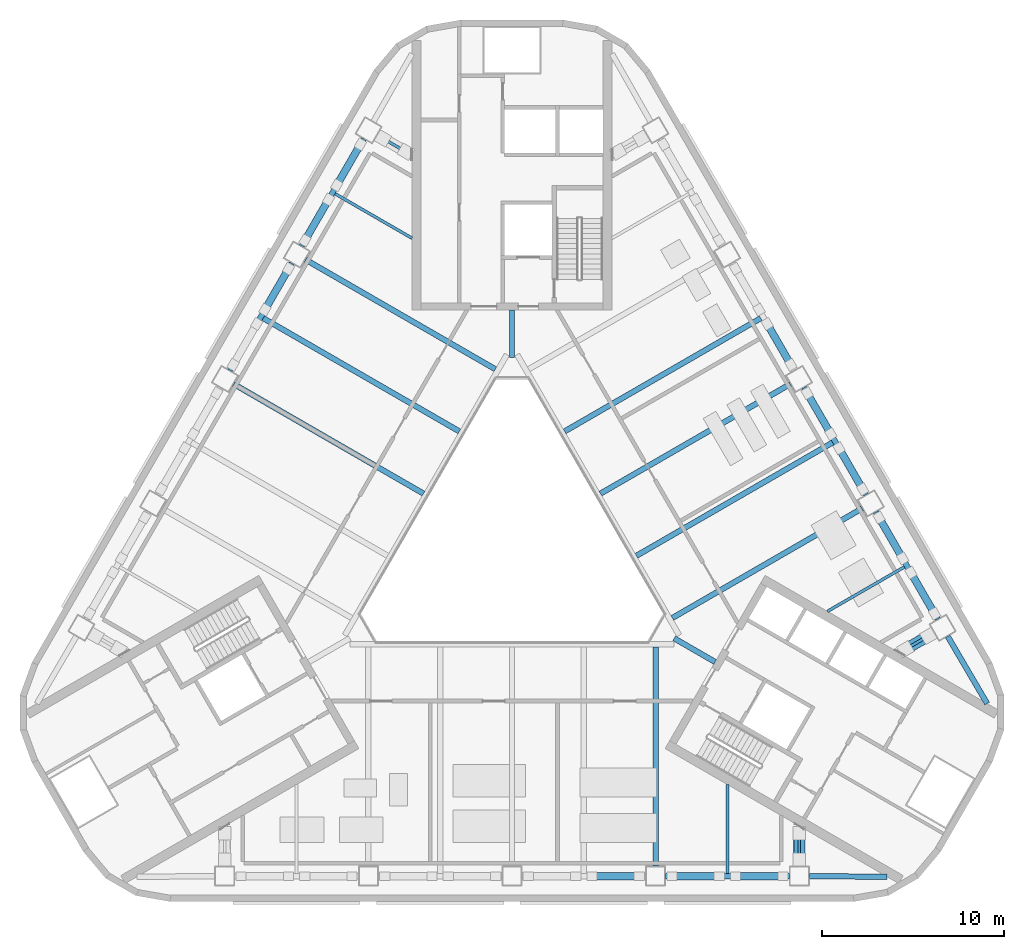
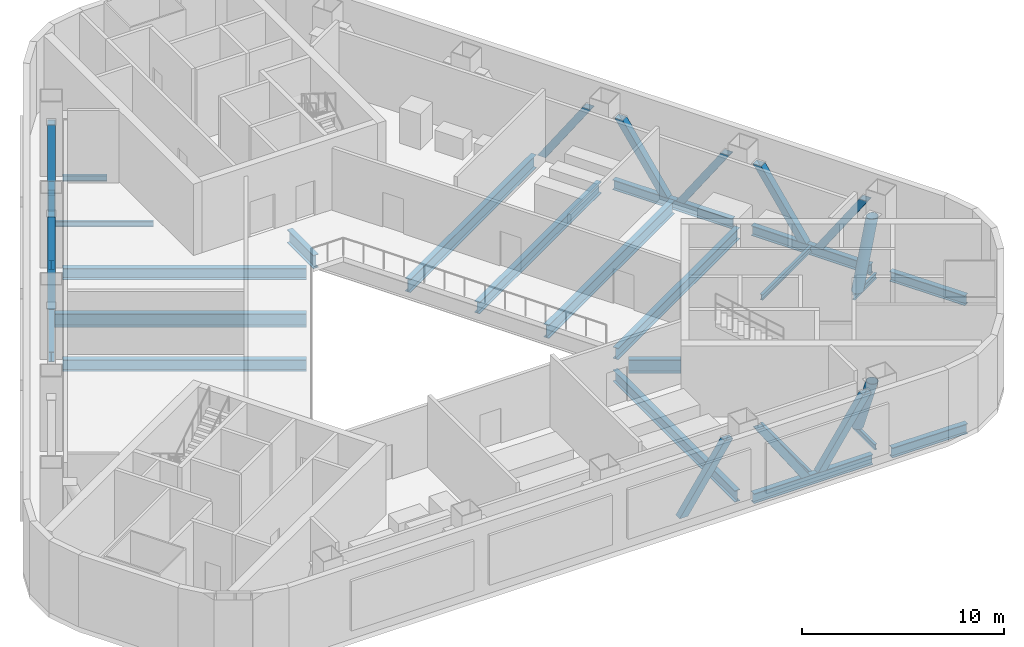
# One storey, part 2 of 14: 23 beams, 13 members.
"""IFC4 building model written with IfcOpenShell, lengths in metres."""

from ifc_helpers import new_model, si_unit, direction, frame, origin, origin_2d, place, context, subcontext, project, spatial, hollow_rectangle, hollow_circle, i_section, extrude, boolean, halfspace, material, material_profile, profile_set, type_object, element, save


model = new_model("IFC4")

# Units and contexts
model_context = context("Model", 3, precision=1e-05, world=origin(), true_north=direction((0.0, 1.0)))
body_context = subcontext(model_context, "Body", "Model", "MODEL_VIEW")
ifc_project = project(units=[si_unit("LENGTHUNIT", "METRE"), si_unit("AREAUNIT", "SQUARE_METRE"), si_unit("VOLUMEUNIT", "CUBIC_METRE"), si_unit("PLANEANGLEUNIT", "RADIAN"), si_unit("MASSUNIT", "GRAM", prefix="KILO")], contexts=[model_context])

# Site, building, storey
site_placement = place(None, origin())
site = spatial("IfcSite", under=ifc_project, at=site_placement, CompositionType="ELEMENT")
building_placement = place(site_placement, origin())
building = spatial("IfcBuilding", under=site, at=building_placement, Name="Apuvela Tower Hotel", CompositionType="ELEMENT")
storey_placement = place(building_placement, frame((0.0, 0.0, 42.0)))
storey = spatial("IfcBuildingStorey", under=building, at=storey_placement, Name="L07 Plant", CompositionType="ELEMENT", Elevation=42.0)

# Beams
ifc_material = material(Name="Steel S355", Category="steel")
ifc_material_profile_1 = material_profile(ifc_material, i_section(OverallWidth=0.300048828125, OverallDepth=0.68994140625, WebThickness=0.014404296875, FlangeThickness=0.027099609375, at=origin_2d()), Name="HE 700 A")
ifc_profile_set_1 = profile_set([ifc_material_profile_1], Name="Steel S355")
beam_type_1 = type_object("IfcBeamType", Name="STR-B floor beam HE 700 A", PredefinedType="BEAM", material=ifc_profile_set_1)
for number, where, z_axis, x_axis, name in (
    (1, (19.26123046875, 1.998291015625, -0.64501953125), (-0.866029136187, -0.499993535233, 0.0), (0.499993535233, -0.866029136187, 0.0), "Floor beam B6 NE3"),
    (2, (15.311279296875, 8.840087890625, -0.64501953125), (-0.866020368762, -0.500008720812, 0.0), (0.500008720812, -0.866020368762, 0.0), "Floor beam B6 NE5"),
):
    element("IfcBeam", number, at=place(storey_placement, frame(where, z_axis=z_axis, x_axis=x_axis)), inside=storey, type_object=beam_type_1, Name=name, PredefinedType="BEAM", context=body_context, shape_type="SweptSolid", body=[
        extrude(i_section(OverallWidth=0.300048828125, OverallDepth=0.68994140625, WebThickness=0.014404296875, FlangeThickness=0.027099609375, at=origin_2d()), origin(), (0.0, 0.0, 1.0), 12.057861328125),
    ])
beam_1_placement = place(storey_placement, frame((-11.361328125, 15.681640625, -0.64501953125), z_axis=(0.866025430648, -0.499999953472, 0.0), x_axis=(0.499999953472, 0.866025430648, 0.0)))
element("IfcBeam", 3, at=beam_1_placement, inside=storey, type_object=beam_type_1, Name="Floor beam B6 NW3", PredefinedType="BEAM", context=body_context, shape_type="SweptSolid", body=[
    extrude(i_section(OverallWidth=0.300048828125, OverallDepth=0.68994140625, WebThickness=0.014404296875, FlangeThickness=0.027099609375, at=origin_2d()), origin(), (0.0, 0.0, 1.0), 12.05810546875),
])
for number, where, z_axis, x_axis, name in (
    (4, (-15.311279296875, 8.840087890625, -0.64501953125), (0.866020368762, -0.500008720812, 0.0), (0.500008720812, 0.866020368762, 0.0), "Floor beam B6 NW5"),
    (5, (7.89990234375, -17.679931640625, -0.64501953125), (0.0, 1.0, 0.0), (-1.0, 0.0, 0.0), "Floor beam B6 S7"),
):
    element("IfcBeam", number, at=place(storey_placement, frame(where, z_axis=z_axis, x_axis=x_axis)), inside=storey, type_object=beam_type_1, Name=name, PredefinedType="BEAM", context=body_context, shape_type="SweptSolid", body=[
        extrude(i_section(OverallWidth=0.300048828125, OverallDepth=0.68994140625, WebThickness=0.014404296875, FlangeThickness=0.027099609375, at=origin_2d()), origin(), (0.0, 0.0, 1.0), 12.057861328125),
    ])
ifc_material_profile_2 = material_profile(ifc_material, i_section(OverallWidth=0.300048828125, OverallDepth=0.7900390625, WebThickness=0.014892578125, FlangeThickness=0.028076171875, at=origin_2d()), Name="HE 800 A")
ifc_profile_set_2 = profile_set([ifc_material_profile_2], Name="Steel S355")
beam_type_2 = type_object("IfcBeamType", Name="STR-B floor beam HE 800 A", PredefinedType="BEAM", material=ifc_profile_set_2)
for number, where, z_axis, x_axis, name in (
    (6, (17.6328125, 5.619140625, -0.695068359375), (-0.866027636335, -0.499996133089, 0.0), (0.499996133089, -0.866027636335, 0.0), "Floor beam B5 NE4"),
    (7, (13.6826171875, 12.460693359375, -0.695068359375), (-0.866022737053, -0.500004618886, 0.0), (0.500004618886, -0.866022737053, 0.0), "Floor beam B5 NE6"),
    (8, (-13.6826171875, 12.460693359375, -0.695068359375), (0.866022737053, -0.500004618886, 0.0), (0.500004618886, 0.866022737053, 0.0), "Floor beam B5 NW4"),
):
    element("IfcBeam", number, at=place(storey_placement, frame(where, z_axis=z_axis, x_axis=x_axis)), inside=storey, type_object=beam_type_2, Name=name, PredefinedType="BEAM", context=body_context, shape_type="SweptSolid", body=[
        extrude(i_section(OverallWidth=0.300048828125, OverallDepth=0.7900390625, WebThickness=0.014892578125, FlangeThickness=0.028076171875, at=origin_2d()), origin(), (0.0, 0.0, 1.0), 12.4580078125),
    ])
ifc_material_profile_3 = material_profile(ifc_material, i_section(OverallWidth=0.159912109375, OverallDepth=0.330078125, WebThickness=0.007568359375, FlangeThickness=0.011474609375, at=origin_2d()), Name="IPE 330")
ifc_profile_set_3 = profile_set([ifc_material_profile_3], Name="Steel S355")
beam_type_3 = type_object("IfcBeamType", Name="STR-B floor beam IPE 330", PredefinedType="BEAM", material=ifc_profile_set_3)
beam_2_placement = place(storey_placement, frame((23.211181640625, -4.84326171875, -0.465087890625), z_axis=(-0.866001350717, -0.50004165882, 0.0), x_axis=(0.50004165882, -0.866001350717, 0.0)))
element("IfcBeam", 9, at=beam_2_placement, inside=storey, type_object=beam_type_3, Name="Floor beam B1 NE1", PredefinedType="BEAM", context=body_context, shape_type="SweptSolid", body=[
    extrude(i_section(OverallWidth=0.159912109375, OverallDepth=0.330078125, WebThickness=0.007568359375, FlangeThickness=0.011474609375, at=origin_2d()), origin(), (0.0, 0.0, 1.0), 2.206787109375),
])
beam_3_placement = place(storey_placement, frame((21.582763671875, -1.222412109375, -0.465087890625), z_axis=(-0.866015056278, -0.500017921979, 0.0), x_axis=(0.500017921979, -0.866015056278, 0.0)))
element("IfcBeam", 10, at=beam_3_placement, inside=storey, type_object=beam_type_3, Name="Floor beam B1 NE2", PredefinedType="BEAM", context=body_context, shape_type="SweptSolid", body=[
    extrude(i_section(OverallWidth=0.159912109375, OverallDepth=0.330078125, WebThickness=0.007568359375, FlangeThickness=0.011474609375, at=origin_2d()), origin(), (0.0, 0.0, 1.0), 4.887451171875),
])
beam_4_placement = place(storey_placement, frame((-7.411376953125, 22.523193359375, -0.465087890625), z_axis=(0.866029008523, -0.499993756358, 0.0), x_axis=(0.499993756358, 0.866029008523, 0.0)))
element("IfcBeam", 11, at=beam_4_placement, inside=storey, type_object=beam_type_3, Name="Floor beam B1 NW1", PredefinedType="BEAM", context=body_context, shape_type="SweptSolid", body=[
    extrude(i_section(OverallWidth=0.159912109375, OverallDepth=0.330078125, WebThickness=0.007568359375, FlangeThickness=0.011474609375, at=origin_2d()), origin(), (0.0, 0.0, 1.0), 2.20703125),
])
beam_5_placement = place(storey_placement, frame((-9.732666015625, 19.302490234375, -0.465087890625), z_axis=(0.866015056278, -0.500017921979, 0.0), x_axis=(0.500017921979, 0.866015056278, 0.0)))
element("IfcBeam", 12, at=beam_5_placement, inside=storey, type_object=beam_type_3, Name="Floor beam B1 NW2", PredefinedType="BEAM", context=body_context, shape_type="SweptSolid", body=[
    extrude(i_section(OverallWidth=0.159912109375, OverallDepth=0.330078125, WebThickness=0.007568359375, FlangeThickness=0.011474609375, at=origin_2d()), origin(), (0.0, 0.0, 1.0), 4.887451171875),
])
beam_6_placement = place(storey_placement, frame((11.85009765625, -18.080078125, -0.465087890625), z_axis=(0.0, 1.0, 0.0), x_axis=(-1.0, 0.0, 0.0)))
element("IfcBeam", 13, at=beam_6_placement, inside=storey, type_object=beam_type_3, Name="Floor beam B1 S8", PredefinedType="BEAM", context=body_context, shape_type="SweptSolid", body=[
    extrude(i_section(OverallWidth=0.159912109375, OverallDepth=0.330078125, WebThickness=0.007568359375, FlangeThickness=0.011474609375, at=origin_2d()), origin(), (0.0, 0.0, 1.0), 4.8876953125),
])
beam_7_placement = place(storey_placement, frame((15.800048828125, -17.679931640625, -0.465087890625), z_axis=(0.0, 1.0, 0.0), x_axis=(-1.0, 0.0, 0.0)))
element("IfcBeam", 14, at=beam_7_placement, inside=storey, type_object=beam_type_3, Name="Floor beam B1 S9", PredefinedType="BEAM", context=body_context, shape_type="SweptSolid", body=[
    extrude(i_section(OverallWidth=0.159912109375, OverallDepth=0.330078125, WebThickness=0.007568359375, FlangeThickness=0.011474609375, at=origin_2d()), origin(), (0.0, 0.0, 1.0), 2.20703125),
])
ifc_material_profile_4 = material_profile(ifc_material, i_section(OverallWidth=0.300048828125, OverallDepth=0.800048828125, WebThickness=0.017578125, FlangeThickness=0.032958984375, at=origin_2d()), Name="HE 800 B")
ifc_profile_set_4 = profile_set([ifc_material_profile_4], Name="Steel S355")
beam_type_4 = type_object("IfcBeamType", Name="STR-GT core tie beam HE 800 B", PredefinedType="BEAM", material=ifc_profile_set_4)
for number, where, z_axis, x_axis, name in (
    (15, (0.0, 12.89990234375, -0.699951171875), (0.0, -1.0, 0.0), (1.0, 0.0, 0.0), "Core tie beam GT1 N"),
    (16, (11.171630859375, -6.449951171875, -0.699951171875), (-0.865997922154, 0.500047596559, 0.0), (-0.500047596559, -0.865997922154, 0.0), "Core tie beam GT1 SE"),
):
    element("IfcBeam", number, at=place(storey_placement, frame(where, z_axis=z_axis, x_axis=x_axis)), inside=storey, type_object=beam_type_4, Name=name, PredefinedType="BEAM", context=body_context, shape_type="SweptSolid", body=[
        extrude(i_section(OverallWidth=0.300048828125, OverallDepth=0.800048828125, WebThickness=0.017578125, FlangeThickness=0.032958984375, at=origin_2d()), origin(), (0.0, 0.0, 1.0), 2.599853515625),
    ])
ifc_material_profile_5 = material_profile(ifc_material, i_section(OverallWidth=0.300048828125, OverallDepth=0.60009765625, WebThickness=0.015380859375, FlangeThickness=0.030029296875, at=origin_2d()), Name="HE 600 B")
ifc_profile_set_5 = profile_set([ifc_material_profile_5], Name="Steel S355")
beam_type_5 = type_object("IfcBeamType", Name="STR-SB spandrel beam HE 600 B", PredefinedType="SPANDREL", material=ifc_profile_set_5)
beam_8_placement = place(storey_placement, frame((8.449951171875, -18.22998046875, -0.60009765625), z_axis=(1.0, 0.0, 0.0), x_axis=(0.0, 1.0, 0.0)))
element("IfcBeam", 17, at=beam_8_placement, inside=storey, type_object=beam_type_5, Name="Spandrel beam SB1 S4", PredefinedType="SPANDREL", context=body_context, shape_type="SweptSolid", body=[
    extrude(i_section(OverallWidth=0.300048828125, OverallDepth=0.60009765625, WebThickness=0.015380859375, FlangeThickness=0.030029296875, at=origin_2d()), origin(), (0.0, 0.0, 1.0), 6.800048828125),
])
beam_9_placement = place(storey_placement, frame((23.41259765625, -4.091796875, -0.60009765625), z_axis=(-0.499992841449, 0.866029536736, 0.0), x_axis=(-0.866029536736, -0.499992841449, 0.0)))
element("IfcBeam", 18, at=beam_9_placement, inside=storey, type_object=beam_type_5, Name="Spandrel beam SB1 NE1", PredefinedType="SPANDREL", context=body_context, shape_type="SweptSolid", body=[
    extrude(i_section(OverallWidth=0.300048828125, OverallDepth=0.60009765625, WebThickness=0.015380859375, FlangeThickness=0.030029296875, at=origin_2d()), origin(), (0.0, 0.0, 1.0), 6.7998046875),
])
for number, where, z_axis, x_axis, name in (
    (19, (19.462646484375, 2.749755859375, -0.60009765625), (-0.500019768644, 0.866013990052, 0.0), (-0.866013990052, -0.500019768644, 0.0), "Spandrel beam SB1 NE2"),
    (20, (-8.16259765625, 22.322021484375, -0.60009765625), (-0.499977295307, -0.866038511948, 0.0), (0.866038511948, -0.499977295307, 0.0), "Spandrel beam SB1 NW1"),
    (21, (-12.112548828125, 15.480224609375, -0.60009765625), (-0.500019768644, -0.866013990052, 0.0), (0.866013990052, -0.500019768644, 0.0), "Spandrel beam SB1 NW2"),
):
    element("IfcBeam", number, at=place(storey_placement, frame(where, z_axis=z_axis, x_axis=x_axis)), inside=storey, type_object=beam_type_5, Name=name, PredefinedType="SPANDREL", context=body_context, shape_type="SweptSolid", body=[
        extrude(i_section(OverallWidth=0.300048828125, OverallDepth=0.60009765625, WebThickness=0.015380859375, FlangeThickness=0.030029296875, at=origin_2d()), origin(), (0.0, 0.0, 1.0), 6.800048828125),
    ])
beam_10_placement = place(storey_placement, frame((16.35009765625, -18.23388671875, -0.60009765625), z_axis=(0.999976603061, -0.006840565065, 0.0), x_axis=(0.006840565065, 0.999976603061, 0.0)))
element("IfcBeam", 22, at=beam_10_placement, inside=storey, type_object=beam_type_5, Name="Spandrel beam SB1 S5-SE", PredefinedType="SPANDREL", context=body_context, shape_type="SweptSolid", body=[
    extrude(i_section(OverallWidth=0.300048828125, OverallDepth=0.60009765625, WebThickness=0.015380859375, FlangeThickness=0.030029296875, at=origin_2d()), origin(), (0.0, 0.0, 1.0), 4.28271484375),
])
beam_11_placement = place(storey_placement, frame((23.9658203125, -5.04248046875, -0.60009765625), z_axis=(0.505953544163, -0.862560728963, 0.0), x_axis=(0.862560728963, 0.505953544163, 0.0)))
element("IfcBeam", 23, at=beam_11_placement, inside=storey, type_object=beam_type_5, Name="Spandrel beam SB1 NE1-SE", PredefinedType="SPANDREL", context=body_context, shape_type="SweptSolid", body=[
    extrude(i_section(OverallWidth=0.300048828125, OverallDepth=0.60009765625, WebThickness=0.015380859375, FlangeThickness=0.030029296875, at=origin_2d()), origin(), (0.0, 0.0, 1.0), 4.282958984375),
])

# Members
ifc_material_profile_6 = material_profile(ifc_material, hollow_rectangle(XDim=0.39990234375, YDim=0.39990234375, WallThickness=0.02001953125, at=origin_2d()), Name="SHS 400x400x20")
ifc_profile_set_6 = profile_set([ifc_material_profile_6], Name="Steel S355")
member_type_1 = type_object("IfcMemberType", Name="STR-T0 belt truss diagonal SHS 400x400x20", PredefinedType="BRACE", material=ifc_profile_set_6)
member_1_placement = place(storey_placement, frame((4.39990234375, -18.22998046875, -0.300048828125), z_axis=(0.561078773215, 0.0, 0.827762411714), x_axis=(-0.827762411714, 0.0, 0.561078773215)))
solid_1 = boolean("DIFFERENCE", boolean("DIFFERENCE", extrude(hollow_rectangle(XDim=0.39990234375, YDim=0.39990234375, WallThickness=0.02001953125, at=origin_2d()), frame((0.0, 0.0, -0.255615234375)), (0.0, 0.0, 1.0), 5.145263671875), halfspace(frame((0.0, 0.0, 0.024169921875), z_axis=(0.561078773215, 0.0, 0.827762411714), x_axis=(0.827762411714, 0.0, -0.561078773215)), True)), halfspace(frame((0.0, 0.0, 4.610107421875), z_axis=(0.561078773215, 0.0, 0.827762411714), x_axis=(0.827762411714, 0.0, -0.561078773215)), False))
element("IfcMember", 24, at=member_1_placement, inside=storey, type_object=member_type_1, Name="Belt truss diagonal BR1 S3", PredefinedType="BRACE", context=body_context, shape_type="SweptSolid", body=[
    boolean("UNION", boolean("DIFFERENCE", boolean("DIFFERENCE", extrude(hollow_rectangle(XDim=0.39990234375, YDim=0.39990234375, WallThickness=0.02001953125, at=origin_2d()), origin(), (0.0, 0.0, 1.0), 4.634033203125), halfspace(frame((0.0, 0.0, 0.024169921875), z_axis=(0.561078773215, 0.0, 0.827762411714), x_axis=(0.827762411714, 0.0, -0.561078773215)), True)), halfspace(frame((0.0, 0.0, 4.610107421875), z_axis=(0.561078773215, 0.0, 0.827762411714), x_axis=(0.827762411714, 0.0, -0.561078773215)), False)), solid_1),
])
member_2_placement = place(storey_placement, frame((11.39990234375, -18.22998046875, -0.300048828125), z_axis=(-0.561042673407, 0.0, 0.827786879949), x_axis=(0.827786879949, 0.0, 0.561042673407)))
solid_2 = boolean("DIFFERENCE", boolean("DIFFERENCE", extrude(hollow_rectangle(XDim=0.39990234375, YDim=0.39990234375, WallThickness=0.02001953125, at=origin_2d()), frame((0.0, 0.0, -0.255615234375)), (0.0, 0.0, 1.0), 5.145263671875), halfspace(frame((0.0, 0.0, 0.024169921875), z_axis=(0.561042673407, 0.0, 0.827786879949), x_axis=(0.827786879949, 0.0, -0.561042673407)), True)), halfspace(frame((0.0, 0.0, 4.60986328125), z_axis=(0.561042673407, 0.0, 0.827786879949), x_axis=(0.827786879949, 0.0, -0.561042673407)), False))
element("IfcMember", 25, at=member_2_placement, inside=storey, type_object=member_type_1, Name="Belt truss diagonal BR1 S4", PredefinedType="BRACE", context=body_context, shape_type="SweptSolid", body=[
    boolean("UNION", boolean("DIFFERENCE", boolean("DIFFERENCE", extrude(hollow_rectangle(XDim=0.39990234375, YDim=0.39990234375, WallThickness=0.02001953125, at=origin_2d()), origin(), (0.0, 0.0, 1.0), 4.634033203125), halfspace(frame((0.0, 0.0, 0.024169921875), z_axis=(0.561042673407, 0.0, 0.827786879949), x_axis=(0.827786879949, 0.0, -0.561042673407)), True)), halfspace(frame((0.0, 0.0, 4.60986328125), z_axis=(0.561042673407, 0.0, 0.827786879949), x_axis=(0.827786879949, 0.0, -0.561042673407)), False)), solid_2),
])
member_3_placement = place(storey_placement, frame((12.300048828125, -18.22998046875, -0.300048828125), z_axis=(0.561042673407, 0.0, 0.827786879949), x_axis=(-0.827786879949, 0.0, 0.561042673407)))
solid_3 = boolean("DIFFERENCE", boolean("DIFFERENCE", extrude(hollow_rectangle(XDim=0.39990234375, YDim=0.39990234375, WallThickness=0.02001953125, at=origin_2d()), frame((0.0, 0.0, -0.255615234375)), (0.0, 0.0, 1.0), 5.145263671875), halfspace(frame((0.0, 0.0, 0.024169921875), z_axis=(0.561042673407, 0.0, 0.827786879949), x_axis=(0.827786879949, 0.0, -0.561042673407)), True)), halfspace(frame((0.0, 0.0, 4.60986328125), z_axis=(0.561042673407, 0.0, 0.827786879949), x_axis=(0.827786879949, 0.0, -0.561042673407)), False))
element("IfcMember", 26, at=member_3_placement, inside=storey, type_object=member_type_1, Name="Belt truss diagonal BR1 S4", PredefinedType="BRACE", context=body_context, shape_type="SweptSolid", body=[
    boolean("UNION", boolean("DIFFERENCE", boolean("DIFFERENCE", extrude(hollow_rectangle(XDim=0.39990234375, YDim=0.39990234375, WallThickness=0.02001953125, at=origin_2d()), origin(), (0.0, 0.0, 1.0), 4.634033203125), halfspace(frame((0.0, 0.0, 0.024169921875), z_axis=(0.561042673407, 0.0, 0.827786879949), x_axis=(0.827786879949, 0.0, -0.561042673407)), True)), halfspace(frame((0.0, 0.0, 4.60986328125), z_axis=(0.561042673407, 0.0, 0.827786879949), x_axis=(0.827786879949, 0.0, -0.561042673407)), False)), solid_3),
])
member_4_placement = place(storey_placement, frame((21.9375, -1.537109375, -0.300048828125), z_axis=(0.280540611432, -0.485901607369, 0.827766025694), x_axis=(-0.413888752903, 0.716863092587, 0.561073441455)))
solid_4 = boolean("DIFFERENCE", boolean("DIFFERENCE", extrude(hollow_rectangle(XDim=0.39990234375, YDim=0.39990234375, WallThickness=0.02001953125, at=origin_2d()), frame((0.0, 0.0, -0.255615234375)), (0.0, 0.0, 1.0), 5.145263671875), halfspace(frame((0.0, 0.0, 0.024169921875), z_axis=(0.561073441455, 0.0, 0.827766025694), x_axis=(0.827766025694, 0.0, -0.561073441455)), True)), halfspace(frame((0.0, 0.0, 4.610107421875), z_axis=(0.561073441455, 0.0, 0.827766025694), x_axis=(0.827766025694, 0.0, -0.561073441455)), False))
element("IfcMember", 27, at=member_4_placement, inside=storey, type_object=member_type_1, Name="Belt truss diagonal BR1 NE1", PredefinedType="BRACE", context=body_context, shape_type="SweptSolid", body=[
    boolean("UNION", boolean("DIFFERENCE", boolean("DIFFERENCE", extrude(hollow_rectangle(XDim=0.39990234375, YDim=0.39990234375, WallThickness=0.02001953125, at=origin_2d()), origin(), (0.0, 0.0, 1.0), 4.634033203125), halfspace(frame((0.0, 0.0, 0.024169921875), z_axis=(0.561073441455, 0.0, 0.827766025694), x_axis=(0.827766025694, 0.0, -0.561073441455)), True)), halfspace(frame((0.0, 0.0, 4.610107421875), z_axis=(0.561073441455, 0.0, 0.827766025694), x_axis=(0.827766025694, 0.0, -0.561073441455)), False)), solid_4),
])
member_5_placement = place(storey_placement, frame((21.487548828125, -0.7578125, -0.300048828125), z_axis=(-0.280540611432, 0.485901607369, 0.827766025694), x_axis=(0.413888752903, -0.716863092587, 0.561073441455)))
solid_5 = boolean("DIFFERENCE", boolean("DIFFERENCE", extrude(hollow_rectangle(XDim=0.39990234375, YDim=0.39990234375, WallThickness=0.02001953125, at=origin_2d()), frame((0.0, 0.0, -0.255615234375)), (0.0, 0.0, 1.0), 5.145263671875), halfspace(frame((0.0, 0.0, 0.024169921875), z_axis=(0.561073441455, 0.0, 0.827766025694), x_axis=(0.827766025694, 0.0, -0.561073441455)), True)), halfspace(frame((0.0, 0.0, 4.610107421875), z_axis=(0.561073441455, 0.0, 0.827766025694), x_axis=(0.827766025694, 0.0, -0.561073441455)), False))
element("IfcMember", 28, at=member_5_placement, inside=storey, type_object=member_type_1, Name="Belt truss diagonal BR1 NE1", PredefinedType="BRACE", context=body_context, shape_type="SweptSolid", body=[
    boolean("UNION", boolean("DIFFERENCE", boolean("DIFFERENCE", extrude(hollow_rectangle(XDim=0.39990234375, YDim=0.39990234375, WallThickness=0.02001953125, at=origin_2d()), origin(), (0.0, 0.0, 1.0), 4.634033203125), halfspace(frame((0.0, 0.0, 0.024169921875), z_axis=(0.561073441455, 0.0, 0.827766025694), x_axis=(0.827766025694, 0.0, -0.561073441455)), True)), halfspace(frame((0.0, 0.0, 4.610107421875), z_axis=(0.561073441455, 0.0, 0.827766025694), x_axis=(0.827766025694, 0.0, -0.561073441455)), False)), solid_5),
])
member_6_placement = place(storey_placement, frame((17.987548828125, 5.304443359375, -0.300048828125), z_axis=(0.280540611432, -0.485901607369, 0.827766025694), x_axis=(-0.413888752903, 0.716863092587, 0.561073441455)))
solid_6 = boolean("DIFFERENCE", boolean("DIFFERENCE", extrude(hollow_rectangle(XDim=0.39990234375, YDim=0.39990234375, WallThickness=0.02001953125, at=origin_2d()), frame((0.0, 0.0, -0.255615234375)), (0.0, 0.0, 1.0), 5.145263671875), halfspace(frame((0.0, 0.0, 0.024169921875), z_axis=(0.561073441455, 0.0, 0.827766025694), x_axis=(0.827766025694, 0.0, -0.561073441455)), True)), halfspace(frame((0.0, 0.0, 4.610107421875), z_axis=(0.561073441455, 0.0, 0.827766025694), x_axis=(0.827766025694, 0.0, -0.561073441455)), False))
element("IfcMember", 29, at=member_6_placement, inside=storey, type_object=member_type_1, Name="Belt truss diagonal BR1 NE2", PredefinedType="BRACE", context=body_context, shape_type="SweptSolid", body=[
    boolean("UNION", boolean("DIFFERENCE", boolean("DIFFERENCE", extrude(hollow_rectangle(XDim=0.39990234375, YDim=0.39990234375, WallThickness=0.02001953125, at=origin_2d()), origin(), (0.0, 0.0, 1.0), 4.634033203125), halfspace(frame((0.0, 0.0, 0.024169921875), z_axis=(0.561073441455, 0.0, 0.827766025694), x_axis=(0.827766025694, 0.0, -0.561073441455)), True)), halfspace(frame((0.0, 0.0, 4.610107421875), z_axis=(0.561073441455, 0.0, 0.827766025694), x_axis=(0.827766025694, 0.0, -0.561073441455)), False)), solid_6),
])
member_7_placement = place(storey_placement, frame((17.53759765625, 6.083984375, -0.300048828125), z_axis=(-0.280540611432, 0.485901607369, 0.827766025694), x_axis=(0.413888752903, -0.716863092587, 0.561073441455)))
solid_7 = boolean("DIFFERENCE", boolean("DIFFERENCE", extrude(hollow_rectangle(XDim=0.39990234375, YDim=0.39990234375, WallThickness=0.02001953125, at=origin_2d()), frame((0.0, 0.0, -0.255615234375)), (0.0, 0.0, 1.0), 5.145263671875), halfspace(frame((0.0, 0.0, 0.024169921875), z_axis=(0.561073441455, 0.0, 0.827766025694), x_axis=(0.827766025694, 0.0, -0.561073441455)), True)), halfspace(frame((0.0, 0.0, 4.610107421875), z_axis=(0.561073441455, 0.0, 0.827766025694), x_axis=(0.827766025694, 0.0, -0.561073441455)), False))
element("IfcMember", 30, at=member_7_placement, inside=storey, type_object=member_type_1, Name="Belt truss diagonal BR1 NE2", PredefinedType="BRACE", context=body_context, shape_type="SweptSolid", body=[
    boolean("UNION", boolean("DIFFERENCE", boolean("DIFFERENCE", extrude(hollow_rectangle(XDim=0.39990234375, YDim=0.39990234375, WallThickness=0.02001953125, at=origin_2d()), origin(), (0.0, 0.0, 1.0), 4.634033203125), halfspace(frame((0.0, 0.0, 0.024169921875), z_axis=(0.561073441455, 0.0, 0.827766025694), x_axis=(0.827766025694, 0.0, -0.561073441455)), True)), halfspace(frame((0.0, 0.0, 4.610107421875), z_axis=(0.561073441455, 0.0, 0.827766025694), x_axis=(0.827766025694, 0.0, -0.561073441455)), False)), solid_7),
])
member_8_placement = place(storey_placement, frame((14.03759765625, 12.14599609375, -0.300048828125), z_axis=(0.280540611432, -0.485901607369, 0.827766025694), x_axis=(-0.413888752903, 0.716863092587, 0.561073441455)))
solid_8 = boolean("DIFFERENCE", boolean("DIFFERENCE", extrude(hollow_rectangle(XDim=0.39990234375, YDim=0.39990234375, WallThickness=0.02001953125, at=origin_2d()), frame((0.0, 0.0, -0.255615234375)), (0.0, 0.0, 1.0), 5.145263671875), halfspace(frame((0.0, 0.0, 0.024169921875), z_axis=(0.561073441455, 0.0, 0.827766025694), x_axis=(0.827766025694, 0.0, -0.561073441455)), True)), halfspace(frame((0.0, 0.0, 4.610107421875), z_axis=(0.561073441455, 0.0, 0.827766025694), x_axis=(0.827766025694, 0.0, -0.561073441455)), False))
element("IfcMember", 31, at=member_8_placement, inside=storey, type_object=member_type_1, Name="Belt truss diagonal BR1 NE3", PredefinedType="BRACE", context=body_context, shape_type="SweptSolid", body=[
    boolean("UNION", boolean("DIFFERENCE", boolean("DIFFERENCE", extrude(hollow_rectangle(XDim=0.39990234375, YDim=0.39990234375, WallThickness=0.02001953125, at=origin_2d()), origin(), (0.0, 0.0, 1.0), 4.634033203125), halfspace(frame((0.0, 0.0, 0.024169921875), z_axis=(0.561073441455, 0.0, 0.827766025694), x_axis=(0.827766025694, 0.0, -0.561073441455)), True)), halfspace(frame((0.0, 0.0, 4.610107421875), z_axis=(0.561073441455, 0.0, 0.827766025694), x_axis=(0.827766025694, 0.0, -0.561073441455)), False)), solid_8),
])
member_9_placement = place(storey_placement, frame((-9.6376953125, 19.76708984375, -0.300048828125), z_axis=(0.280540611432, 0.485901607369, 0.827766025694), x_axis=(-0.413888752903, -0.716863092587, 0.561073441455)))
solid_9 = boolean("DIFFERENCE", boolean("DIFFERENCE", extrude(hollow_rectangle(XDim=0.39990234375, YDim=0.39990234375, WallThickness=0.02001953125, at=origin_2d()), frame((0.0, 0.0, -0.255615234375)), (0.0, 0.0, 1.0), 5.145263671875), halfspace(frame((0.0, 0.0, 0.024169921875), z_axis=(0.561073441455, 0.0, 0.827766025694), x_axis=(0.827766025694, 0.0, -0.561073441455)), True)), halfspace(frame((0.0, 0.0, 4.610107421875), z_axis=(0.561073441455, 0.0, 0.827766025694), x_axis=(0.827766025694, 0.0, -0.561073441455)), False))
element("IfcMember", 32, at=member_9_placement, inside=storey, type_object=member_type_1, Name="Belt truss diagonal BR1 NW1", PredefinedType="BRACE", context=body_context, shape_type="SweptSolid", body=[
    boolean("UNION", boolean("DIFFERENCE", boolean("DIFFERENCE", extrude(hollow_rectangle(XDim=0.39990234375, YDim=0.39990234375, WallThickness=0.02001953125, at=origin_2d()), origin(), (0.0, 0.0, 1.0), 4.634033203125), halfspace(frame((0.0, 0.0, 0.024169921875), z_axis=(0.561073441455, 0.0, 0.827766025694), x_axis=(0.827766025694, 0.0, -0.561073441455)), True)), halfspace(frame((0.0, 0.0, 4.610107421875), z_axis=(0.561073441455, 0.0, 0.827766025694), x_axis=(0.827766025694, 0.0, -0.561073441455)), False)), solid_9),
])
member_10_placement = place(storey_placement, frame((-10.087646484375, 18.98779296875, -0.300048828125), z_axis=(-0.280540611432, -0.485901607369, 0.827766025694), x_axis=(0.413888752903, 0.716863092587, 0.561073441455)))
solid_10 = boolean("DIFFERENCE", boolean("DIFFERENCE", extrude(hollow_rectangle(XDim=0.39990234375, YDim=0.39990234375, WallThickness=0.02001953125, at=origin_2d()), frame((0.0, 0.0, -0.255615234375)), (0.0, 0.0, 1.0), 5.145263671875), halfspace(frame((0.0, 0.0, 0.024169921875), z_axis=(0.561073441455, 0.0, 0.827766025694), x_axis=(0.827766025694, 0.0, -0.561073441455)), True)), halfspace(frame((0.0, 0.0, 4.610107421875), z_axis=(0.561073441455, 0.0, 0.827766025694), x_axis=(0.827766025694, 0.0, -0.561073441455)), False))
element("IfcMember", 33, at=member_10_placement, inside=storey, type_object=member_type_1, Name="Belt truss diagonal BR1 NW1", PredefinedType="BRACE", context=body_context, shape_type="SweptSolid", body=[
    boolean("UNION", boolean("DIFFERENCE", boolean("DIFFERENCE", extrude(hollow_rectangle(XDim=0.39990234375, YDim=0.39990234375, WallThickness=0.02001953125, at=origin_2d()), origin(), (0.0, 0.0, 1.0), 4.634033203125), halfspace(frame((0.0, 0.0, 0.024169921875), z_axis=(0.561073441455, 0.0, 0.827766025694), x_axis=(0.827766025694, 0.0, -0.561073441455)), True)), halfspace(frame((0.0, 0.0, 4.610107421875), z_axis=(0.561073441455, 0.0, 0.827766025694), x_axis=(0.827766025694, 0.0, -0.561073441455)), False)), solid_10),
])
member_11_placement = place(storey_placement, frame((-13.587646484375, 12.925537109375, -0.300048828125), z_axis=(0.280540611432, 0.485901607369, 0.827766025694), x_axis=(-0.413888752903, -0.716863092587, 0.561073441455)))
solid_11 = boolean("DIFFERENCE", boolean("DIFFERENCE", extrude(hollow_rectangle(XDim=0.39990234375, YDim=0.39990234375, WallThickness=0.02001953125, at=origin_2d()), frame((0.0, 0.0, -0.255615234375)), (0.0, 0.0, 1.0), 5.145263671875), halfspace(frame((0.0, 0.0, 0.024169921875), z_axis=(0.561073441455, 0.0, 0.827766025694), x_axis=(0.827766025694, 0.0, -0.561073441455)), True)), halfspace(frame((0.0, 0.0, 4.610107421875), z_axis=(0.561073441455, 0.0, 0.827766025694), x_axis=(0.827766025694, 0.0, -0.561073441455)), False))
element("IfcMember", 34, at=member_11_placement, inside=storey, type_object=member_type_1, Name="Belt truss diagonal BR1 NW2", PredefinedType="BRACE", context=body_context, shape_type="SweptSolid", body=[
    boolean("UNION", boolean("DIFFERENCE", boolean("DIFFERENCE", extrude(hollow_rectangle(XDim=0.39990234375, YDim=0.39990234375, WallThickness=0.02001953125, at=origin_2d()), origin(), (0.0, 0.0, 1.0), 4.634033203125), halfspace(frame((0.0, 0.0, 0.024169921875), z_axis=(0.561073441455, 0.0, 0.827766025694), x_axis=(0.827766025694, 0.0, -0.561073441455)), True)), halfspace(frame((0.0, 0.0, 4.610107421875), z_axis=(0.561073441455, 0.0, 0.827766025694), x_axis=(0.827766025694, 0.0, -0.561073441455)), False)), solid_11),
])
ifc_material_profile_7 = material_profile(ifc_material, hollow_circle(Radius=0.304931640625, WallThickness=0.02490234375, at=origin_2d()), Name="CHS 610x25")
ifc_profile_set_7 = profile_set([ifc_material_profile_7], Name="Steel S355")
member_type_2 = type_object("IfcMemberType", Name="STR-T0 outrigger truss diagonal CHS 610x25", PredefinedType="BRACE", material=ifc_profile_set_7)
member_12_placement = place(storey_placement, frame((21.64306640625, -5.74853515625, -0.300048828125), z_axis=(0.322401161297, 0.186086814635, 0.928132096532), x_axis=(-0.803841657977, -0.463969586841, 0.372251005891)))
solid_12 = boolean("DIFFERENCE", boolean("DIFFERENCE", extrude(hollow_circle(Radius=0.304931640625, WallThickness=0.02490234375, at=origin_2d()), frame((0.0, 0.0, -0.2421875)), (0.0, 0.0, 1.0), 4.40869140625), halfspace(frame((0.0, 0.0, 0.021484375), z_axis=(0.372251005891, 0.0, 0.928132096532), x_axis=(0.928132096532, 0.0, -0.372251005891)), True)), halfspace(frame((0.0, 0.0, 3.902587890625), z_axis=(0.372251005891, 0.0, 0.928132096532), x_axis=(0.928132096532, 0.0, -0.372251005891)), False))
element("IfcMember", 35, at=member_12_placement, inside=storey, type_object=member_type_2, Name="Outrigger diagonal OD1 NE1", PredefinedType="BRACE", context=body_context, shape_type="SweptSolid", body=[
    boolean("UNION", boolean("DIFFERENCE", boolean("DIFFERENCE", extrude(hollow_circle(Radius=0.304931640625, WallThickness=0.02490234375, at=origin_2d()), origin(), (0.0, 0.0, 1.0), 3.924072265625), halfspace(frame((0.0, 0.0, 0.021484375), z_axis=(0.372251005891, 0.0, 0.928132096532), x_axis=(0.928132096532, 0.0, -0.372251005891)), True)), halfspace(frame((0.0, 0.0, 3.902587890625), z_axis=(0.372251005891, 0.0, 0.928132096532), x_axis=(0.928132096532, 0.0, -0.372251005891)), False)), solid_12),
])
member_13_placement = place(storey_placement, frame((15.800048828125, -15.869140625, -0.300048828125), z_axis=(0.0, -0.372291538988, 0.928115838674), x_axis=(0.0, 0.928115838674, 0.372291538988)))
solid_13 = boolean("DIFFERENCE", boolean("DIFFERENCE", extrude(hollow_circle(Radius=0.304931640625, WallThickness=0.02490234375, at=origin_2d()), frame((0.0, 0.0, -0.2421875)), (0.0, 0.0, 1.0), 4.40869140625), halfspace(frame((0.0, 0.0, 0.021484375), z_axis=(0.372291538988, 0.0, 0.928115838674), x_axis=(0.928115838674, 0.0, -0.372291538988)), True)), halfspace(frame((0.0, 0.0, 3.902587890625), z_axis=(0.372291538988, 0.0, 0.928115838674), x_axis=(0.928115838674, 0.0, -0.372291538988)), False))
element("IfcMember", 36, at=member_13_placement, inside=storey, type_object=member_type_2, Name="Outrigger diagonal OD1 S5", PredefinedType="BRACE", context=body_context, shape_type="SweptSolid", body=[
    boolean("UNION", boolean("DIFFERENCE", boolean("DIFFERENCE", extrude(hollow_circle(Radius=0.304931640625, WallThickness=0.02490234375, at=origin_2d()), origin(), (0.0, 0.0, 1.0), 3.924072265625), halfspace(frame((0.0, 0.0, 0.021484375), z_axis=(0.372291538988, 0.0, 0.928115838674), x_axis=(0.928115838674, 0.0, -0.372291538988)), True)), halfspace(frame((0.0, 0.0, 3.902587890625), z_axis=(0.372291538988, 0.0, 0.928115838674), x_axis=(0.928115838674, 0.0, -0.372291538988)), False)), solid_13),
])

save(model, "model.ifc")
